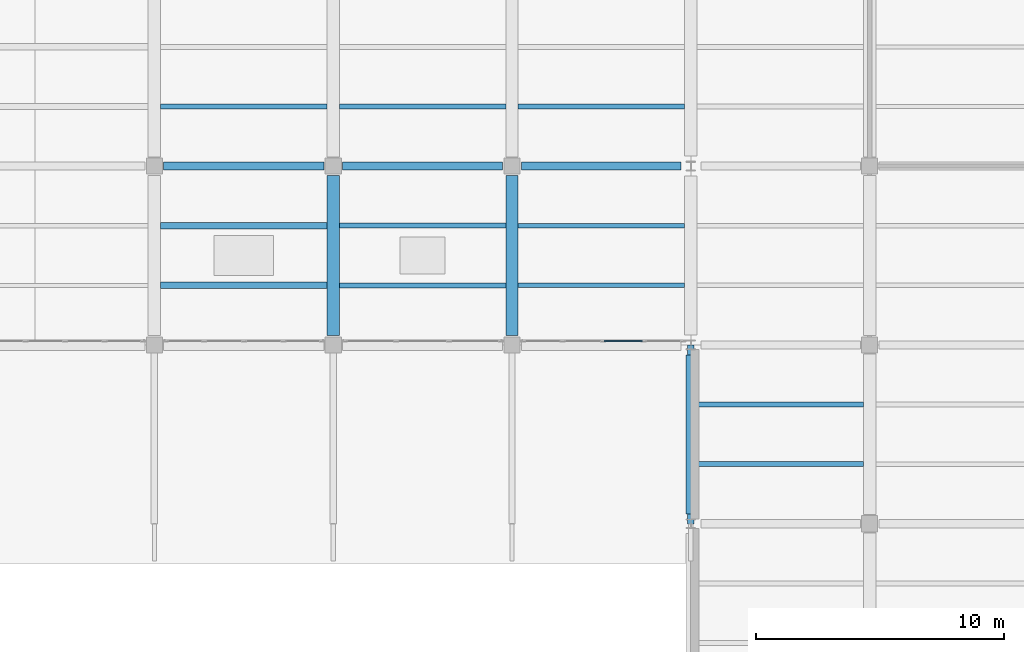
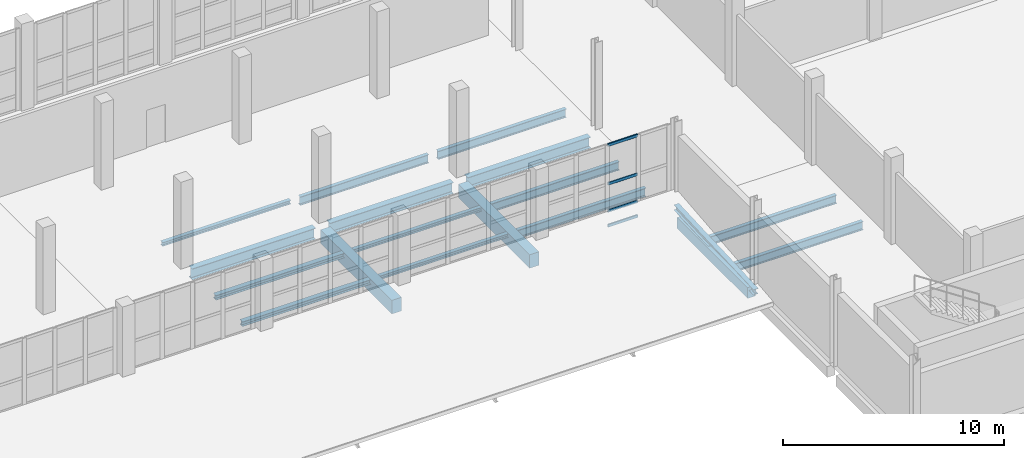
# One storey, part 31 of 127: 18 beams, 4 members, 1 element without a shape of its own.
"""IFC4 building model written with IfcOpenShell, lengths in metres."""

from ifc_helpers import new_model, si_unit, direction, frame, origin, origin_2d, place, context, subcontext, project, spatial, rectangle, hollow_rectangle, i_section, extrude, material, material_profile, profile_set, type_object, element, aggregate, save


model = new_model("IFC4")

# Units and contexts
model_context = context("Model", 3, precision=1e-05, world=origin(), true_north=direction((0.0, 1.0)))
body_context = subcontext(model_context, "Body", "Model", "MODEL_VIEW")
ifc_project = project(units=[si_unit("LENGTHUNIT", "METRE"), si_unit("AREAUNIT", "SQUARE_METRE"), si_unit("VOLUMEUNIT", "CUBIC_METRE"), si_unit("PLANEANGLEUNIT", "RADIAN"), si_unit("MASSUNIT", "GRAM", prefix="KILO")], contexts=[model_context])

# Site, building, storey
site_placement = place(None, origin())
site = spatial("IfcSite", under=ifc_project, at=site_placement, CompositionType="ELEMENT")
building_placement = place(site_placement, origin())
building = spatial("IfcBuilding", under=site, at=building_placement, Name="Kalmorath City Hall", CompositionType="ELEMENT")
storey_placement = place(building_placement, frame((0.0, 0.0, 5.39990234375)))
storey = spatial("IfcBuildingStorey", under=building, at=storey_placement, Name="L01", CompositionType="ELEMENT", Elevation=5.39990234375)

# Beams
ifc_material_1 = material(Name="Concrete C40/50", Category="concrete")
ifc_material_profile_1 = material_profile(ifc_material_1, rectangle(XDim=0.39990234375, YDim=0.60009765625, at=origin_2d()), Name="RC-BM-400X600")
ifc_profile_set_1 = profile_set([ifc_material_profile_1], Name="Concrete C40/50")
beam_type_1 = type_object("IfcBeamType", Name="Concrete edge beam 400x600", PredefinedType="SPANDREL", material=ifc_profile_set_1)
beam_1_placement = place(storey_placement, frame((115.199951171875, 14.800048828125, -0.6240234375), z_axis=(0.0, 1.0, 0.0), x_axis=(-1.0, 0.0, 0.0)))
element("IfcBeam", 1, at=beam_1_placement, inside=storey, type_object=beam_type_1, Name="L01 girder CB6 Y17/3-4", PredefinedType="SPANDREL", context=body_context, shape_type="SweptSolid", body=[
    extrude(rectangle(XDim=0.39990234375, YDim=0.60009765625, at=origin_2d()), origin(), (0.0, 0.0, 1.0), 6.39990234375),
])
ifc_material_2 = material(Name="Concrete C40/50", Category="concrete")
ifc_material_profile_2 = material_profile(ifc_material_2, rectangle(XDim=0.5, YDim=0.75, at=origin_2d()), Name="RC-BM-500X750")
ifc_profile_set_2 = profile_set([ifc_material_profile_2], Name="Concrete C40/50")
beam_type_2 = type_object("IfcBeamType", Name="Concrete floor beam 500x750", PredefinedType="BEAM", material=ifc_profile_set_2)
for number, where, z_axis, x_axis, name in (
    (2, (100.800048828125, 21.97509765625, -0.698974609375), (0.0, 1.0, 0.0), (-1.0, 0.0, 0.0), "L01 girder CB3 Y15/4-5"),
    (3, (108.0, 21.97509765625, -0.698974609375), (0.0, 1.0, 0.0), (-1.0, 0.0, 0.0), "L01 girder CB3 Y16/4-5"),
):
    element("IfcBeam", number, at=place(storey_placement, frame(where, z_axis=z_axis, x_axis=x_axis)), inside=storey, type_object=beam_type_2, Name=name, PredefinedType="BEAM", context=body_context, shape_type="SweptSolid", body=[
        extrude(rectangle(XDim=0.5, YDim=0.75, at=origin_2d()), origin(), (0.0, 0.0, 1.0), 6.449951171875),
    ])

# Curtain wall, members
ifc_material_3 = material(Name="Anodised aluminium and laminated glass", Category="aluminium")
curtain_wall_type = type_object("IfcCurtainWallType", Name="Unitised hurricane curtain wall 6508x4520 M1500", PredefinedType="NOTDEFINED", material=ifc_material_3)
curtain_wall_placement = place(storey_placement, origin())
curtain_wall = element("IfcCurtainWall", 4, at=curtain_wall_placement, inside=storey, type_object=curtain_wall_type, Name="L01 curtain wall CW-65X45M15 #67", PredefinedType="NOTDEFINED")
ifc_material_4 = material(Name="Anodised aluminium framing", Category="aluminium")
ifc_material_profile_3 = material_profile(ifc_material_4, hollow_rectangle(XDim=0.06494140625, YDim=0.159912109375, WallThickness=0.00390625, InnerFilletRadius=0.00390625, OuterFilletRadius=0.008056640625, at=origin_2d()), Name="ALU-TRN-160X65X4")
ifc_profile_set_3 = profile_set([ifc_material_profile_3], Name="Anodised aluminium framing")
member_type = type_object("IfcMemberType", Name="Curtain-wall primary transom 160x65", PredefinedType="USERDEFINED", material=ifc_profile_set_3)
member_1_placement = place(storey_placement, frame((113.258544921875, 21.760009765625, 0.03271484375), z_axis=(-1.0, 0.0, 0.0), x_axis=(0.0, -1.0, 0.0)))
member_1 = element("IfcMember", 5, at=member_1_placement, type_object=member_type, Name="CW-65X45M15 transom 2.1", ObjectType="TRANSOM", PredefinedType="USERDEFINED", context=body_context, shape_type="SweptSolid", body=[
    extrude(hollow_rectangle(XDim=0.06494140625, YDim=0.159912109375, WallThickness=0.00390625, InnerFilletRadius=0.00390625, OuterFilletRadius=0.008056640625, at=origin_2d()), origin(), (0.0, 0.0, 1.0), 1.552001953125),
])
member_2_placement = place(storey_placement, frame((113.258544921875, 21.760009765625, 0.85009765625), z_axis=(-1.0, 0.0, 0.0), x_axis=(0.0, -1.0, 0.0)))
member_2 = element("IfcMember", 6, at=member_2_placement, type_object=member_type, Name="CW-65X45M15 transom 2.2", ObjectType="TRANSOM", PredefinedType="USERDEFINED", context=body_context, shape_type="SweptSolid", body=[
    extrude(hollow_rectangle(XDim=0.06494140625, YDim=0.159912109375, WallThickness=0.00390625, InnerFilletRadius=0.00390625, OuterFilletRadius=0.008056640625, at=origin_2d()), origin(), (0.0, 0.0, 1.0), 1.552001953125),
])
member_3_placement = place(storey_placement, frame((113.258544921875, 21.760009765625, 2.35009765625), z_axis=(-1.0, 0.0, 0.0), x_axis=(0.0, -1.0, 0.0)))
member_3 = element("IfcMember", 7, at=member_3_placement, type_object=member_type, Name="CW-65X45M15 transom 2.3", ObjectType="TRANSOM", PredefinedType="USERDEFINED", context=body_context, shape_type="SweptSolid", body=[
    extrude(hollow_rectangle(XDim=0.06494140625, YDim=0.159912109375, WallThickness=0.00390625, InnerFilletRadius=0.00390625, OuterFilletRadius=0.008056640625, at=origin_2d()), origin(), (0.0, 0.0, 1.0), 1.552001953125),
])
member_4_placement = place(storey_placement, frame((113.258544921875, 21.760009765625, 4.487548828125), z_axis=(-1.0, 0.0, 0.0), x_axis=(0.0, -1.0, 0.0)))
member_4 = element("IfcMember", 8, at=member_4_placement, type_object=member_type, Name="CW-65X45M15 transom 2.4", ObjectType="TRANSOM", PredefinedType="USERDEFINED", context=body_context, shape_type="SweptSolid", body=[
    extrude(hollow_rectangle(XDim=0.06494140625, YDim=0.159912109375, WallThickness=0.00390625, InnerFilletRadius=0.00390625, OuterFilletRadius=0.008056640625, at=origin_2d()), origin(), (0.0, 0.0, 1.0), 1.552001953125),
])
aggregate(curtain_wall, [member_1, member_2, member_3, member_4])

# Beams
ifc_material_5 = material(Name="Steel ASTM A992 Grade 50", Category="steel")
ifc_material_profile_4 = material_profile(ifc_material_5, i_section(OverallWidth=0.25390625, OverallDepth=0.305908203125, WebThickness=0.0087890625, FlangeThickness=0.0146484375, FilletRadius=0.014892578125, at=origin_2d()), Name="W12X53")
ifc_profile_set_4 = profile_set([ifc_material_profile_4], Name="Steel ASTM A992 Grade 50")
beam_type_3 = type_object("IfcBeamType", Name="Steel canopy beam W12X53", PredefinedType="BEAM", material=ifc_profile_set_4)
beam_2_placement = place(storey_placement, frame((115.199951171875, 14.39990234375, -0.3798828125), z_axis=(0.0, 0.998886377864, 0.047180548093), x_axis=(-1.0, 0.0, 0.0)))
element("IfcBeam", 9, at=beam_2_placement, inside=storey, type_object=beam_type_3, Name="Storm arcade canopy beam SJ11-12", PredefinedType="BEAM", context=body_context, shape_type="SweptSolid", body=[
    extrude(i_section(OverallWidth=0.25390625, OverallDepth=0.305908203125, WebThickness=0.0087890625, FlangeThickness=0.0146484375, FilletRadius=0.014892578125, at=origin_2d()), origin(), (0.0, 0.0, 1.0), 7.208251953125),
])
ifc_material_6 = material(Name="Steel ASTM A992 Grade 50", Category="steel")
ifc_material_profile_5 = material_profile(ifc_material_6, i_section(OverallWidth=0.19091796875, OverallDepth=0.4599609375, WebThickness=0.010009765625, FlangeThickness=0.01611328125, FilletRadius=0.013916015625, at=origin_2d()), Name="W18X55")
ifc_profile_set_5 = profile_set([ifc_material_profile_5], Name="Steel ASTM A992 Grade 50")
beam_type_4 = type_object("IfcBeamType", Name="Steel composite joist W18X55", PredefinedType="JOIST", material=ifc_profile_set_5)
beam_3_placement = place(storey_placement, frame((108.25, 31.199951171875, -0.553955078125), z_axis=(1.0, 0.0, 0.0), x_axis=(0.0, 1.0, 0.0)))
element("IfcBeam", 10, at=beam_3_placement, inside=storey, type_object=beam_type_4, Name="L01 joist SJ2 16.5.1", PredefinedType="JOIST", context=body_context, shape_type="SweptSolid", body=[
    extrude(i_section(OverallWidth=0.19091796875, OverallDepth=0.4599609375, WebThickness=0.010009765625, FlangeThickness=0.01611328125, FilletRadius=0.013916015625, at=origin_2d()), origin(), (0.0, 0.0, 1.0), 6.699951171875),
])
ifc_material_7 = material(Name="Steel ASTM A992 Grade 50", Category="steel")
ifc_material_profile_6 = material_profile(ifc_material_7, i_section(OverallWidth=0.193115234375, OverallDepth=0.466064453125, WebThickness=0.011474609375, FlangeThickness=0.01904296875, FilletRadius=0.013916015625, at=origin_2d()), Name="W18X65")
ifc_profile_set_6 = profile_set([ifc_material_profile_6], Name="Steel ASTM A992 Grade 50")
beam_type_5 = type_object("IfcBeamType", Name="Steel composite joist W18X65", PredefinedType="JOIST", material=ifc_profile_set_6)
for number, where, z_axis, x_axis, name in (
    (11, (101.050048828125, 31.199951171875, -0.556884765625), (1.0, 0.0, 0.0), (0.0, 1.0, 0.0), "L01 joist SJ1 15.5.1"),
    (12, (108.25, 24.0, -0.556884765625), (1.0, 0.0, 0.0), (0.0, 1.0, 0.0), "L01 joist SJ1 16.4.1"),
    (13, (108.25, 26.39990234375, -0.556884765625), (1.0, 0.0, 0.0), (0.0, 1.0, 0.0), "L01 joist SJ1 16.4.2"),
):
    element("IfcBeam", number, at=place(storey_placement, frame(where, z_axis=z_axis, x_axis=x_axis)), inside=storey, type_object=beam_type_5, Name=name, PredefinedType="JOIST", context=body_context, shape_type="SweptSolid", body=[
        extrude(i_section(OverallWidth=0.193115234375, OverallDepth=0.466064453125, WebThickness=0.011474609375, FlangeThickness=0.01904296875, FilletRadius=0.013916015625, at=origin_2d()), origin(), (0.0, 0.0, 1.0), 6.699951171875),
    ])
for number, where, z_axis, x_axis, name in (
    (14, (115.39990234375, 16.800048828125, -0.556884765625), (1.0, 0.0, 0.0), (0.0, 1.0, 0.0), "L01 joist SJ1 17.3.1"),
    (15, (115.39990234375, 19.199951171875, -0.556884765625), (1.0, 0.0, 0.0), (0.0, 1.0, 0.0), "L01 joist SJ1 17.3.2"),
):
    element("IfcBeam", number, at=place(storey_placement, frame(where, z_axis=z_axis, x_axis=x_axis)), inside=storey, type_object=beam_type_5, Name=name, PredefinedType="JOIST", context=body_context, shape_type="SweptSolid", body=[
        extrude(i_section(OverallWidth=0.193115234375, OverallDepth=0.466064453125, WebThickness=0.011474609375, FlangeThickness=0.01904296875, FilletRadius=0.013916015625, at=origin_2d()), origin(), (0.0, 0.0, 1.0), 6.75),
    ])
ifc_material_8 = material(Name="Steel ASTM A992 Grade 50", Category="steel")
ifc_material_profile_7 = material_profile(ifc_material_8, i_section(OverallWidth=0.202880859375, OverallDepth=0.202880859375, WebThickness=0.007080078125, FlangeThickness=0.010986328125, FilletRadius=0.010986328125, at=origin_2d()), Name="W8X31")
ifc_profile_set_7 = profile_set([ifc_material_profile_7], Name="Steel ASTM A992 Grade 50")
beam_type_6 = type_object("IfcBeamType", Name="Steel edge trimmer W8X31", PredefinedType="LINTEL", material=ifc_profile_set_7)
for number, where, z_axis, x_axis, name in (
    (16, (93.85009765625, 31.199951171875, -0.42529296875), (1.0, 0.0, 0.0), (0.0, 1.0, 0.0), "L01 joist SJ16 14.5.1"),
    (17, (101.050048828125, 24.0, -0.42529296875), (1.0, 0.0, 0.0), (0.0, 1.0, 0.0), "L01 joist SJ16 15.4.1"),
    (18, (101.050048828125, 26.39990234375, -0.42529296875), (1.0, 0.0, 0.0), (0.0, 1.0, 0.0), "L01 joist SJ16 15.4.2"),
):
    element("IfcBeam", number, at=place(storey_placement, frame(where, z_axis=z_axis, x_axis=x_axis)), inside=storey, type_object=beam_type_6, Name=name, PredefinedType="LINTEL", context=body_context, shape_type="SweptSolid", body=[
        extrude(i_section(OverallWidth=0.202880859375, OverallDepth=0.202880859375, WebThickness=0.007080078125, FlangeThickness=0.010986328125, FilletRadius=0.010986328125, at=origin_2d()), origin(), (0.0, 0.0, 1.0), 6.699951171875),
    ])
ifc_material_9 = material(Name="Steel ASTM A992 Grade 50", Category="steel")
ifc_material_profile_8 = material_profile(ifc_material_9, i_section(OverallWidth=0.323974609375, OverallDepth=0.611083984375, WebThickness=0.0126953125, FlangeThickness=0.01904296875, FilletRadius=0.01611328125, at=origin_2d()), Name="W24X104")
ifc_profile_set_8 = profile_set([ifc_material_profile_8], Name="Steel ASTM A992 Grade 50")
beam_type_7 = type_object("IfcBeamType", Name="Steel floor girder W24X104", PredefinedType="BEAM", material=ifc_profile_set_8)
for number, where, z_axis, x_axis, name in (
    (19, (93.97509765625, 28.800048828125, -0.62939453125), (1.0, 0.0, 0.0), (0.0, 1.0, 0.0), "L01 girder SG7 X14-15/5"),
    (20, (101.175048828125, 28.800048828125, -0.62939453125), (1.0, 0.0, 0.0), (0.0, 1.0, 0.0), "L01 girder SG7 X15-16/5"),
):
    element("IfcBeam", number, at=place(storey_placement, frame(where, z_axis=z_axis, x_axis=x_axis)), inside=storey, type_object=beam_type_7, Name=name, PredefinedType="BEAM", context=body_context, shape_type="SweptSolid", body=[
        extrude(i_section(OverallWidth=0.323974609375, OverallDepth=0.611083984375, WebThickness=0.0126953125, FlangeThickness=0.01904296875, FilletRadius=0.01611328125, at=origin_2d()), origin(), (0.0, 0.0, 1.0), 6.449951171875),
    ])
beam_4_placement = place(storey_placement, frame((108.375, 28.800048828125, -0.62939453125), z_axis=(1.0, 0.0, 0.0), x_axis=(0.0, 1.0, 0.0)))
element("IfcBeam", 21, at=beam_4_placement, inside=storey, type_object=beam_type_7, Name="L01 girder SG7 X16-17/5", PredefinedType="BEAM", context=body_context, shape_type="SweptSolid", body=[
    extrude(i_section(OverallWidth=0.323974609375, OverallDepth=0.611083984375, WebThickness=0.0126953125, FlangeThickness=0.01904296875, FilletRadius=0.01611328125, at=origin_2d()), origin(), (0.0, 0.0, 1.0), 6.425048828125),
])
ifc_material_10 = material(Name="Steel ASTM A992 Grade 50", Category="steel")
ifc_material_profile_9 = material_profile(ifc_material_10, i_section(OverallWidth=0.25390625, OverallDepth=0.2529296875, WebThickness=0.008544921875, FlangeThickness=0.01416015625, FilletRadius=0.011962890625, at=origin_2d()), Name="W10X49")
ifc_profile_set_9 = profile_set([ifc_material_profile_9], Name="Steel ASTM A992 Grade 50")
beam_type_8 = type_object("IfcBeamType", Name="Steel trimmer beam W10X49", PredefinedType="BEAM", material=ifc_profile_set_9)
for number, where, z_axis, x_axis, name in (
    (22, (93.85009765625, 24.0, -0.450439453125), (1.0, 0.0, 0.0), (0.0, 1.0, 0.0), "L01 joist SJ14 14.4.1"),
    (23, (93.85009765625, 26.39990234375, -0.450439453125), (1.0, 0.0, 0.0), (0.0, 1.0, 0.0), "L01 joist SJ14 14.4.2"),
):
    element("IfcBeam", number, at=place(storey_placement, frame(where, z_axis=z_axis, x_axis=x_axis)), inside=storey, type_object=beam_type_8, Name=name, PredefinedType="BEAM", context=body_context, shape_type="SweptSolid", body=[
        extrude(i_section(OverallWidth=0.25390625, OverallDepth=0.2529296875, WebThickness=0.008544921875, FlangeThickness=0.01416015625, FilletRadius=0.011962890625, at=origin_2d()), origin(), (0.0, 0.0, 1.0), 6.699951171875),
    ])

save(model, "model.ifc")
